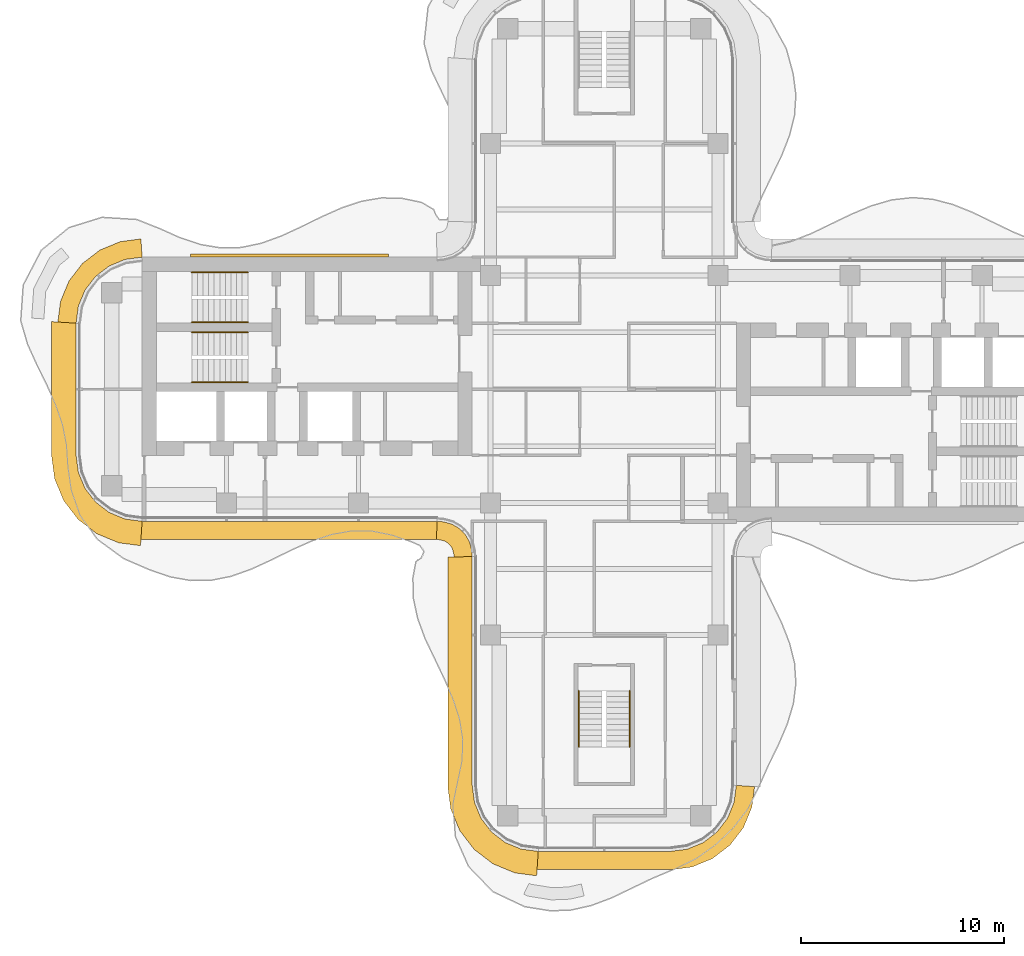
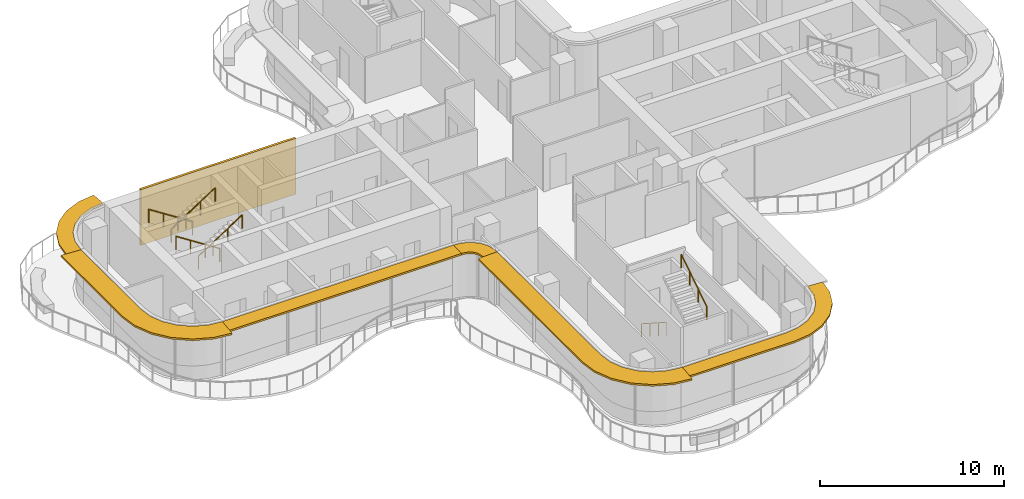
# One storey, part 15 of 16: 6 railings, 6 shading devices, 1 covering.
"""IFC4 building model written with IfcOpenShell, lengths in metres."""

from ifc_helpers import new_model, si_unit, direction, frame, origin, origin_2d, place, context, subcontext, project, spatial, polyline, circle, outline, extrude, source, transform, mapped, material, layer, layer_set, type_object, element, save


model = new_model("IFC4")

# Units and contexts
model_context = context("Model", 3, precision=1e-05, world=origin(), true_north=direction((0.0, 1.0)))
body_context = subcontext(model_context, "Body", "Model", "MODEL_VIEW")
ifc_project = project(units=[si_unit("LENGTHUNIT", "METRE"), si_unit("AREAUNIT", "SQUARE_METRE"), si_unit("VOLUMEUNIT", "CUBIC_METRE"), si_unit("PLANEANGLEUNIT", "RADIAN"), si_unit("MASSUNIT", "GRAM", prefix="KILO")], contexts=[model_context])

# Site, building, storey
site_placement = place(None, origin())
site = spatial("IfcSite", under=ifc_project, at=site_placement, CompositionType="ELEMENT")
building_placement = place(site_placement, origin())
building = spatial("IfcBuilding", under=site, at=building_placement, Name="Trellis Farm Tower", CompositionType="ELEMENT")
storey_placement = place(building_placement, frame((0.0, 0.0, 318.39990234375)))
storey = spatial("IfcBuildingStorey", under=building, at=storey_placement, Name="L72", CompositionType="ELEMENT", Elevation=318.39990234375)

# Railings
ifc_material_1 = material(Name="Stainless steel", Category="steel")
railing_type = type_object("IfcRailingType", Name="STAIR HANDRAIL 900", PredefinedType="HANDRAIL", material=ifc_material_1)
shared_shape_1 = source(origin(), body_context, "Body", "SweptSolid", [
    extrude(circle(Radius=0.02392578125, at=origin_2d()), frame((0.0, 0.0, 0.8759765625), z_axis=(0.0, 0.840503830235, 0.541805602924), x_axis=(-1.0, 0.0, 0.0)), (0.0, 0.0, 1.0), 3.271728515625),
    extrude(circle(Radius=0.02099609375, at=origin_2d()), origin(), (0.0, 0.0, 1.0), 0.851806640625),
    extrude(circle(Radius=0.02099609375, at=origin_2d()), frame((0.0, 0.916748046875, 0.5908203125)), (0.0, 0.0, 1.0), 0.851806640625),
    extrude(circle(Radius=0.02099609375, at=origin_2d()), frame((0.0, 1.833251953125, 1.181884765625)), (0.0, 0.0, 1.0), 0.851806640625),
    extrude(circle(Radius=0.02099609375, at=origin_2d()), frame((0.0, 2.75, 1.772705078125)), (0.0, 0.0, 1.0), 0.851806640625),
])
railing_1_placement = place(storey_placement, frame((1.25, -17.60009765625, 2.12744140625)))
element("IfcRailing", 1, at=railing_1_placement, inside=storey, type_object=railing_type, Name="Stair handrail", PredefinedType="HANDRAIL", context=body_context, shape_type="MappedRepresentation", body=[
    mapped(shared_shape_1, transform((0.0, 0.0, 0.0))),
])
shared_shape_2 = source(origin(), body_context, "Body", "SweptSolid", [
    extrude(circle(Radius=0.02392578125, at=origin_2d()), frame((0.0, 0.0, 0.8759765625), z_axis=(0.0, -0.840503830235, 0.541805602924), x_axis=(1.0, 0.0, 0.0)), (0.0, 0.0, 1.0), 3.271728515625),
    extrude(circle(Radius=0.02099609375, at=origin_2d()), origin(), (0.0, 0.0, 1.0), 0.851806640625),
    extrude(circle(Radius=0.02099609375, at=origin_2d()), frame((0.0, -0.916748046875, 0.5908203125)), (0.0, 0.0, 1.0), 0.851806640625),
    extrude(circle(Radius=0.02099609375, at=origin_2d()), frame((0.0, -1.833251953125, 1.181884765625)), (0.0, 0.0, 1.0), 0.851806640625),
    extrude(circle(Radius=0.02099609375, at=origin_2d()), frame((0.0, -2.75, 1.772705078125)), (0.0, 0.0, 1.0), 0.851806640625),
])
railing_2_placement = place(storey_placement, frame((-1.25, -14.85009765625, 0.177490234375)))
element("IfcRailing", 2, at=railing_2_placement, inside=storey, type_object=railing_type, Name="Stair handrail", PredefinedType="HANDRAIL", context=body_context, shape_type="MappedRepresentation", body=[
    mapped(shared_shape_2, transform((0.0, 0.0, 0.0))),
])
shared_shape_3 = source(origin(), body_context, "Body", "SweptSolid", [
    extrude(circle(Radius=0.02392578125, at=origin_2d()), frame((0.0, 0.0, 0.8759765625), z_axis=(0.840503830235, 0.0, 0.541805602924), x_axis=(0.0, 1.0, 0.0)), (0.0, 0.0, 1.0), 3.271728515625),
    extrude(circle(Radius=0.02099609375, at=origin_2d()), origin(), (0.0, 0.0, 1.0), 0.851806640625),
    extrude(circle(Radius=0.02099609375, at=origin_2d()), frame((0.916748046875, 0.0, 0.5908203125)), (0.0, 0.0, 1.0), 0.851806640625),
    extrude(circle(Radius=0.02099609375, at=origin_2d()), frame((1.833251953125, 0.0, 1.181884765625)), (0.0, 0.0, 1.0), 0.851806640625),
    extrude(circle(Radius=0.02099609375, at=origin_2d()), frame((2.75, 0.0, 1.772705078125)), (0.0, 0.0, 1.0), 0.851806640625),
])
for number, where, name in (
    (3, (-20.300048828125, 3.300048828125, 2.12744140625), "Stair handrail"),
    (4, (-20.300048828125, 0.35009765625, 2.12744140625), "Stair handrail"),
):
    element("IfcRailing", number, at=place(storey_placement, frame(where)), inside=storey, type_object=railing_type, Name=name, PredefinedType="HANDRAIL", context=body_context, shape_type="MappedRepresentation", body=[
        mapped(shared_shape_3, transform((0.0, 0.0, 0.0))),
    ])
shared_shape_4 = source(origin(), body_context, "Body", "SweptSolid", [
    extrude(circle(Radius=0.02392578125, at=origin_2d()), frame((0.0, 0.0, 0.8759765625), z_axis=(-0.840503830235, 0.0, 0.541805602924), x_axis=(0.0, -1.0, 0.0)), (0.0, 0.0, 1.0), 3.271728515625),
    extrude(circle(Radius=0.02099609375, at=origin_2d()), origin(), (0.0, 0.0, 1.0), 0.851806640625),
    extrude(circle(Radius=0.02099609375, at=origin_2d()), frame((-0.916748046875, 0.0, 0.5908203125)), (0.0, 0.0, 1.0), 0.851806640625),
    extrude(circle(Radius=0.02099609375, at=origin_2d()), frame((-1.833251953125, 0.0, 1.181884765625)), (0.0, 0.0, 1.0), 0.851806640625),
    extrude(circle(Radius=0.02099609375, at=origin_2d()), frame((-2.75, 0.0, 1.772705078125)), (0.0, 0.0, 1.0), 0.851806640625),
])
for number, where, name in (
    (5, (-17.550048828125, 5.75, 0.177490234375), "Stair handrail"),
    (6, (-17.550048828125, 2.800048828125, 0.177490234375), "Stair handrail"),
):
    element("IfcRailing", number, at=place(storey_placement, frame(where)), inside=storey, type_object=railing_type, Name=name, PredefinedType="HANDRAIL", context=body_context, shape_type="MappedRepresentation", body=[
        mapped(shared_shape_4, transform((0.0, 0.0, 0.0))),
    ])

# Shading devices
ifc_material_2 = material(Name="Aluminium extrusion 6063-T6", Category="aluminium")
ifc_layer_1 = layer(ifc_material_2, 0.1201171875)
ifc_layer_set_1 = layer_set([ifc_layer_1], Name="SUNSHADE BLADE 900")
shading_device_type_1 = type_object("IfcShadingDeviceType", Name="SUNSHADE BLADE 900", PredefinedType="USERDEFINED", material=ifc_layer_set_1)
shared_shape_5 = source(origin(), body_context, "Body", "SweptSolid", [
    extrude(outline(polyline([(-8.2607421875, -7.39990234375), (-8.107666015625, -7.409912109375), (-8.091552734375, -7.412109375), (-7.85595703125, -7.475341796875), (-7.697021484375, -7.567138671875), (-7.567138671875, -7.697021484375), (-7.475341796875, -7.85595703125), (-7.412109375, -8.091552734375), (-7.409912109375, -8.107666015625), (-7.39990234375, -8.2607421875), (-6.5, -8.2314453125), (-6.513916015625, -8.01953125), (-6.527587890625, -7.91552734375), (-6.63671875, -7.508544921875), (-6.846923828125, -7.144287109375), (-7.144287109375, -6.846923828125), (-7.508544921875, -6.63671875), (-7.91552734375, -6.527587890625), (-8.01953125, -6.513916015625), (-8.2314453125, -6.5), (-8.2607421875, -7.39990234375)])), origin(), (0.0, 0.0, 1.0), 0.1201171875),
])
placement = place(storey_placement, frame((0.0, 0.0, 3.5400390625)))
element("IfcShadingDevice", 7, at=placement, inside=storey, type_object=shading_device_type_1, Name="SD1 002", ObjectType="SUNSHADE", PredefinedType="USERDEFINED", context=body_context, shape_type="MappedRepresentation", body=[
    mapped(shared_shape_5, transform((0.0, 0.0, 0.0))),
])
ifc_layer_2 = layer(ifc_material_2, 0.1201171875)
ifc_layer_set_2 = layer_set([ifc_layer_2], Name="SUNSHADE BLADE 1200")
shading_device_type_2 = type_object("IfcShadingDeviceType", Name="SUNSHADE BLADE 1200", PredefinedType="USERDEFINED", material=ifc_layer_set_2)
shared_shape_6 = source(origin(), body_context, "Body", "SweptSolid", [
    extrude(outline(polyline([(-7.699951171875, -8.270751953125), (-7.699951171875, -19.57861328125), (-7.558349609375, -20.654541015625), (-7.11279296875, -21.730224609375), (-6.404052734375, -22.654052734375), (-5.480224609375, -23.36279296875), (-4.404541015625, -23.808349609375), (-3.32861328125, -23.949951171875), (-3.25, -22.75), (-4.091064453125, -22.63916015625), (-4.875, -22.314697265625), (-5.548095703125, -21.798095703125), (-6.064697265625, -21.125), (-6.38916015625, -20.341064453125), (-6.5, -19.5), (-6.5, -8.2314453125), (-7.699951171875, -8.270751953125)])), origin(), (0.0, 0.0, 1.0), 0.1201171875),
])
element("IfcShadingDevice", 8, at=placement, inside=storey, type_object=shading_device_type_2, Name="SD2 003", ObjectType="SUNSHADE", PredefinedType="USERDEFINED", context=body_context, shape_type="MappedRepresentation", body=[
    mapped(shared_shape_6, transform((0.0, 0.0, 0.0))),
])
shared_shape_7 = source(origin(), body_context, "Body", "SweptSolid", [
    extrude(outline(polyline([(-3.30908203125, -23.64990234375), (3.30908203125, -23.64990234375), (4.326171875, -23.51611328125), (5.328857421875, -23.100830078125), (6.18994140625, -22.43994140625), (6.850830078125, -21.578857421875), (7.26611328125, -20.576171875), (7.39990234375, -19.55908203125), (6.5, -19.5), (6.38916015625, -20.341064453125), (6.064697265625, -21.125), (5.548095703125, -21.798095703125), (4.875, -22.314697265625), (4.091064453125, -22.63916015625), (3.25, -22.75), (-3.25, -22.75), (-3.30908203125, -23.64990234375)])), origin(), (0.0, 0.0, 1.0), 0.1201171875),
])
element("IfcShadingDevice", 9, at=placement, inside=storey, type_object=shading_device_type_1, Name="SD1 004", ObjectType="SUNSHADE", PredefinedType="USERDEFINED", context=body_context, shape_type="MappedRepresentation", body=[
    mapped(shared_shape_7, transform((0.0, 0.0, 0.0))),
])
shared_shape_8 = source(origin(), body_context, "Body", "SweptSolid", [
    extrude(outline(polyline([(-22.80908203125, -7.39990234375), (-8.2607421875, -7.39990234375), (-8.2314453125, -6.5), (-22.75, -6.5), (-22.80908203125, -7.39990234375)])), origin(), (0.0, 0.0, 1.0), 0.1201171875),
])
element("IfcShadingDevice", 10, at=placement, inside=storey, type_object=shading_device_type_1, Name="SD1 001", ObjectType="SUNSHADE", PredefinedType="USERDEFINED", context=body_context, shape_type="MappedRepresentation", body=[
    mapped(shared_shape_8, transform((0.0, 0.0, 0.0))),
])
shared_shape_9 = source(origin(), body_context, "Body", "SweptSolid", [
    extrude(outline(polyline([(-22.80908203125, 7.39990234375), (-23.826171875, 7.26611328125), (-24.828857421875, 6.850830078125), (-25.68994140625, 6.18994140625), (-26.350830078125, 5.328857421875), (-26.76611328125, 4.326171875), (-26.89990234375, 3.30908203125), (-26.0, 3.25), (-25.88916015625, 4.091064453125), (-25.564697265625, 4.875), (-25.048095703125, 5.548095703125), (-24.375, 6.064697265625), (-23.591064453125, 6.38916015625), (-22.75, 6.5), (-22.80908203125, 7.39990234375)])), origin(), (0.0, 0.0, 1.0), 0.1201171875),
])
element("IfcShadingDevice", 11, at=placement, inside=storey, type_object=shading_device_type_1, Name="SD1 016", ObjectType="SUNSHADE", PredefinedType="USERDEFINED", context=body_context, shape_type="MappedRepresentation", body=[
    mapped(shared_shape_9, transform((0.0, 0.0, 0.0))),
])
shared_shape_10 = source(origin(), body_context, "Body", "SweptSolid", [
    extrude(outline(polyline([(-27.199951171875, 3.32861328125), (-27.199951171875, -3.32861328125), (-27.058349609375, -4.404541015625), (-26.61279296875, -5.480224609375), (-25.904052734375, -6.404052734375), (-24.980224609375, -7.11279296875), (-23.904541015625, -7.558349609375), (-22.82861328125, -7.699951171875), (-22.75, -6.5), (-23.591064453125, -6.38916015625), (-24.375, -6.064697265625), (-25.048095703125, -5.548095703125), (-25.564697265625, -4.875), (-25.88916015625, -4.091064453125), (-26.0, -3.25), (-26.0, 3.25), (-27.199951171875, 3.32861328125)])), origin(), (0.0, 0.0, 1.0), 0.1201171875),
])
element("IfcShadingDevice", 12, at=placement, inside=storey, type_object=shading_device_type_2, Name="SD2 017", ObjectType="SUNSHADE", PredefinedType="USERDEFINED", context=body_context, shape_type="MappedRepresentation", body=[
    mapped(shared_shape_10, transform((0.0, 0.0, 0.0))),
])

# Covering
ifc_material_3 = material(Name="Perforated precast screen (cobogo)", Category="concrete")
ifc_layer_3 = layer(ifc_material_3, 0.14990234375)
ifc_layer_set_3 = layer_set([ifc_layer_3], Name="COBOGO SCREEN PANEL")
covering_type = type_object("IfcCoveringType", Name="COBOGO SCREEN PANEL", PredefinedType="USERDEFINED", material=ifc_layer_set_3)
shared_shape_11 = source(origin(), body_context, "Body", "SweptSolid", [
    extrude(outline(polyline([(-10.61572265625, 6.64990234375), (-20.36572265625, 6.64990234375), (-20.36572265625, 6.5), (-10.61572265625, 6.5), (-10.61572265625, 6.64990234375)])), origin(), (0.0, 0.0, 1.0), 3.7001953125),
])
covering_placement = place(storey_placement, origin())
element("IfcCovering", 13, at=covering_placement, inside=storey, type_object=covering_type, Name="SC1 03", ObjectType="SCREEN", PredefinedType="USERDEFINED", context=body_context, shape_type="MappedRepresentation", body=[
    mapped(shared_shape_11, transform((0.0, 0.0, 0.0))),
])

save(model, "model.ifc")
